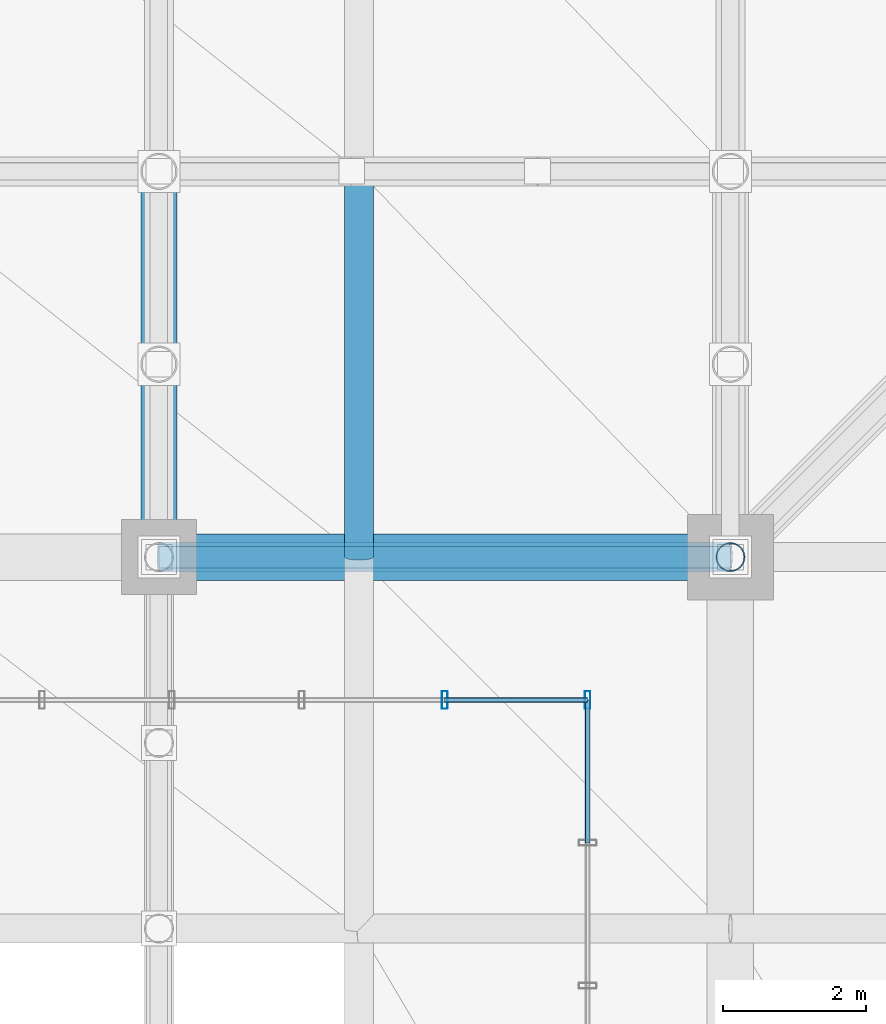
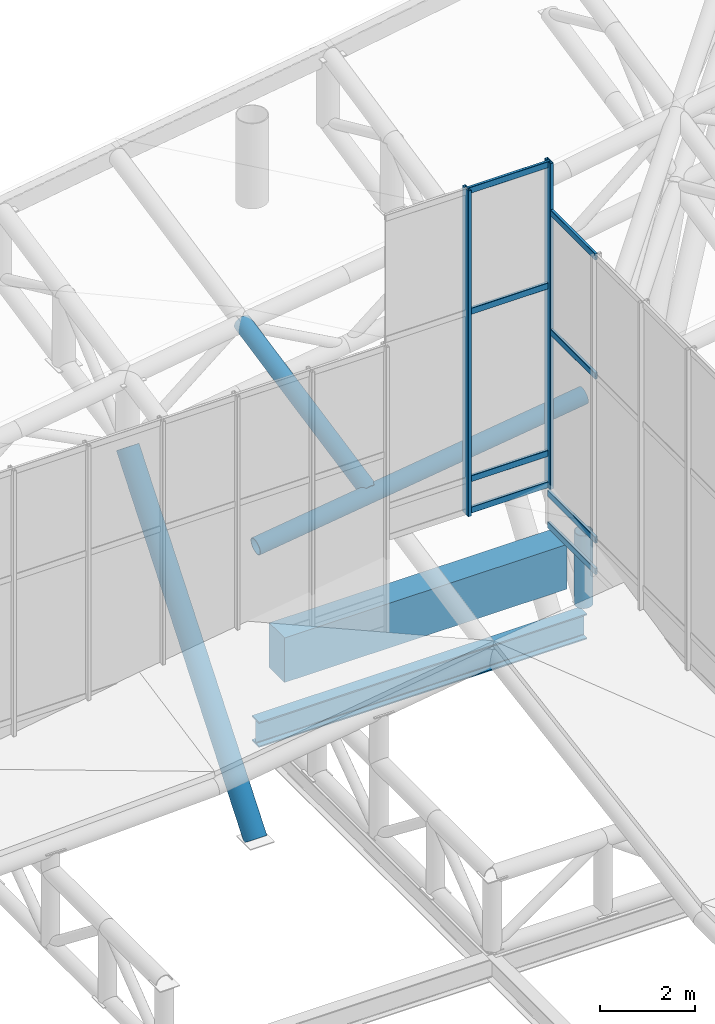
# One storey, part 93 of 137: 14 members, 2 beams, 2 elements without a shape of their own.
"""IFC4 building model written with IfcOpenShell, lengths in metres."""

from ifc_helpers import new_model, si_unit, direction, frame, origin, origin_2d, place, context, subcontext, project, spatial, rectangle, hollow_rectangle, hollow_circle, i_section, extrude, material, layer, layer_set, material_profile, profile_set, type_object, element, aggregate, save


model = new_model("IFC4")

# Units and contexts
model_context = context("Model", 3, precision=1e-05, world=origin(), true_north=direction((0.0, 1.0)))
body_context = subcontext(model_context, "Body", "Model", "MODEL_VIEW")
ifc_project = project(units=[si_unit("LENGTHUNIT", "METRE"), si_unit("AREAUNIT", "SQUARE_METRE"), si_unit("VOLUMEUNIT", "CUBIC_METRE"), si_unit("PLANEANGLEUNIT", "RADIAN"), si_unit("MASSUNIT", "GRAM", prefix="KILO")], contexts=[model_context])

# Site, building, storey
site_placement = place(None, origin())
site = spatial("IfcSite", under=ifc_project, at=site_placement, CompositionType="ELEMENT")
building_placement = place(site_placement, origin())
building = spatial("IfcBuilding", under=site, at=building_placement, Name="Khorjan Park Terminus", CompositionType="ELEMENT")
storey_placement = place(building_placement, frame((0.0, 0.0, 11.4)))
storey = spatial("IfcBuildingStorey", under=building, at=storey_placement, Name="L02", CompositionType="ELEMENT", Elevation=11.4)

# Members
ifc_material_1 = material(Name="Steel S355", Category="steel")
ifc_material_profile_1 = material_profile(ifc_material_1, hollow_circle(Radius=0.2032, WallThickness=0.016, at=origin_2d()), Name="CHS 406.4x16")
ifc_profile_set_1 = profile_set([ifc_material_profile_1], Name="Steel S355")
member_type_1 = type_object("IfcMemberType", Name="MB-CHE-406", PredefinedType="CHORD", material=ifc_profile_set_1)
member_1_placement = place(storey_placement, frame((128.0, 88.0, 2.3441), z_axis=(0.990628641265, 0.0, 0.136582923914), x_axis=(0.0, 1.0, 0.0)))
element("IfcMember", 1, at=member_1_placement, inside=storey, type_object=member_type_1, Name="Lower wrapping shell rim chord (117)", PredefinedType="CHORD", context=body_context, shape_type="SweptSolid", body=[
    extrude(hollow_circle(Radius=0.2032, WallThickness=0.016, at=origin_2d()), origin(), (0.0, 0.0, 1.0), 8.0757),
])
member_2_placement = place(storey_placement, frame((130.8, 88.0, 2.7587), z_axis=(0.0, 0.979805509738, 0.199952902172), x_axis=(-1.0, 0.0, 0.0)))
element("IfcMember", 2, at=member_2_placement, inside=storey, type_object=member_type_1, Name="Lower wrapping shell rim chord (148)", PredefinedType="CHORD", context=body_context, shape_type="SweptSolid", body=[
    extrude(hollow_circle(Radius=0.2032, WallThickness=0.016, at=origin_2d()), origin(), (0.0, 0.0, 1.0), 5.5113),
])
ifc_material_profile_2 = material_profile(ifc_material_1, hollow_circle(Radius=0.2032, WallThickness=0.016, at=origin_2d()), Name="CHS 406.4x16")
ifc_profile_set_2 = profile_set([ifc_material_profile_2], Name="Steel S355")
member_type_2 = type_object("IfcMemberType", Name="MB-ST-406", PredefinedType="STRUT", material=ifc_profile_set_2)
member_3_placement = place(storey_placement, frame((136.0, 88.0, -1.92), z_axis=(0.0, 0.0, 1.0), x_axis=(1.0, 0.0, 0.0)))
element("IfcMember", 3, at=member_3_placement, inside=storey, type_object=member_type_2, Name="Lower shell cantilever truss post (12N)", PredefinedType="STRUT", context=body_context, shape_type="SweptSolid", body=[
    extrude(hollow_circle(Radius=0.2032, WallThickness=0.016, at=origin_2d()), origin(), (0.0, 0.0, 1.0), 1.87),
])
ifc_material_profile_3 = material_profile(ifc_material_1, hollow_circle(Radius=0.254, WallThickness=0.02, at=origin_2d()), Name="CHS 508x20")
ifc_profile_set_3 = profile_set([ifc_material_profile_3], Name="Steel S355")
member_type_3 = type_object("IfcMemberType", Name="MB-STE-508", PredefinedType="STRUT", material=ifc_profile_set_3)
member_4_placement = place(storey_placement, frame((128.0, 88.0, -5.2), z_axis=(0.0, 0.619739172064, 0.784807848208), x_axis=(-1.0, 0.0, 0.0)))
element("IfcMember", 4, at=member_4_placement, inside=storey, type_object=member_type_3, Name="Lower shell raked overhang V-strut STE-51 (11N)", PredefinedType="STRUT", context=body_context, shape_type="SweptSolid", body=[
    extrude(hollow_circle(Radius=0.254, WallThickness=0.02, at=origin_2d()), origin(), (0.0, 0.0, 1.0), 8.7133),
])

# Curtain wall, members
ifc_material_2 = material(Name="Anodized Bronze Aluminium", Category="aluminium")
ifc_layer = layer(ifc_material_2, 0.22)
ifc_layer_set = layer_set([ifc_layer], Name="Anodized Bronze Aluminium")
curtain_wall_type = type_object("IfcCurtainWallType", Name="CW-CONC-CLR", PredefinedType="NOTDEFINED", material=ifc_layer_set)
curtain_wall_1_placement = place(storey_placement, origin())
curtain_wall_1 = element("IfcCurtainWall", 5, at=curtain_wall_1_placement, inside=storey, type_object=curtain_wall_type, Name="Unitized curtain wall CW-CL (CW-V2-N-CLR-08)", PredefinedType="NOTDEFINED")
ifc_material_profile_4 = material_profile(ifc_material_2, hollow_rectangle(XDim=0.08, YDim=0.25, WallThickness=0.005, InnerFilletRadius=0.005, OuterFilletRadius=0.01, at=origin_2d()), Name="ALM 80x250x5")
ifc_profile_set_4 = profile_set([ifc_material_profile_4], Name="Anodized Bronze Aluminium")
member_type_4 = type_object("IfcMemberType", Name="ML-ALM-250", PredefinedType="MULLION", material=ifc_profile_set_4)
member_5_placement = place(storey_placement, frame((134.0, 86.0, 3.0059), z_axis=(0.0, 0.0, 1.0), x_axis=(-1.0, 0.0, 0.0)))
member_5 = element("IfcMember", 6, at=member_5_placement, type_object=member_type_4, Name="Curtain-wall mullion ML-25 (CW-V2-N-CLR-08-0)", PredefinedType="MULLION", context=body_context, shape_type="SweptSolid", body=[
    extrude(hollow_rectangle(XDim=0.08, YDim=0.25, WallThickness=0.005, InnerFilletRadius=0.005, OuterFilletRadius=0.01, at=origin_2d()), origin(), (0.0, 0.0, 1.0), 8.4011),
])
member_6_placement = place(storey_placement, frame((132.0, 86.0, 3.0059), z_axis=(0.0, 0.0, 1.0), x_axis=(-1.0, 0.0, 0.0)))
member_6 = element("IfcMember", 7, at=member_6_placement, type_object=member_type_4, Name="Curtain-wall mullion ML-25 (CW-V2-N-CLR-08-1)", PredefinedType="MULLION", context=body_context, shape_type="SweptSolid", body=[
    extrude(hollow_rectangle(XDim=0.08, YDim=0.25, WallThickness=0.005, InnerFilletRadius=0.005, OuterFilletRadius=0.01, at=origin_2d()), origin(), (0.0, 0.0, 1.0), 8.4011),
])

# Beams
ifc_material_profile_5 = material_profile(ifc_material_1, i_section(OverallWidth=0.3, OverallDepth=0.65, WebThickness=0.016, FlangeThickness=0.031, FilletRadius=0.027, at=origin_2d()), Name="HEB 650")
ifc_profile_set_5 = profile_set([ifc_material_profile_5], Name="Steel S355")
beam_type_1 = type_object("IfcBeamType", Name="SP-HEB650E", PredefinedType="SPANDREL", material=ifc_profile_set_5)
beam_1_placement = place(storey_placement, frame((128.0, 88.0, -2.425), z_axis=(1.0, 0.0, 0.0), x_axis=(0.0, 1.0, 0.0)))
element("IfcBeam", 8, at=beam_1_placement, inside=storey, type_object=beam_type_1, Name="Lower shell truss support girder SP-E65 (X22)", PredefinedType="SPANDREL", context=body_context, shape_type="SweptSolid", body=[
    extrude(i_section(OverallWidth=0.3, OverallDepth=0.65, WebThickness=0.016, FlangeThickness=0.031, FilletRadius=0.027, at=origin_2d()), origin(), (0.0, 0.0, 1.0), 8.0),
])
ifc_material_3 = material(Name="Concrete C50/60", Category="concrete")
ifc_material_profile_6 = material_profile(ifc_material_3, rectangle(XDim=0.65, YDim=1.15, at=origin_2d()), Name="RC 650x1150")
ifc_profile_set_6 = profile_set([ifc_material_profile_6], Name="Concrete C50/60")
beam_type_2 = type_object("IfcBeamType", Name="SP-RC650x1150", PredefinedType="SPANDREL", material=ifc_profile_set_6)
beam_2_placement = place(storey_placement, frame((128.52, 88.0, -0.575), z_axis=(1.0, 0.0, 0.0), x_axis=(0.0, 1.0, 0.0)))
element("IfcBeam", 9, at=beam_2_placement, inside=storey, type_object=beam_type_2, Name="Concourse lower colonnade ring beam SP-11 (L02-58)", PredefinedType="SPANDREL", context=body_context, shape_type="SweptSolid", body=[
    extrude(rectangle(XDim=0.65, YDim=1.15, at=origin_2d()), origin(), (0.0, 0.0, 1.0), 6.885),
])

# Member
ifc_material_profile_7 = material_profile(ifc_material_2, hollow_rectangle(XDim=0.07, YDim=0.16, WallThickness=0.004, InnerFilletRadius=0.004, OuterFilletRadius=0.008, at=origin_2d()), Name="ALT 70x160x4")
ifc_profile_set_7 = profile_set([ifc_material_profile_7], Name="Anodized Bronze Aluminium")
member_type_5 = type_object("IfcMemberType", Name="TR-ALT-160", PredefinedType="USERDEFINED", material=ifc_profile_set_7)
member_7_placement = place(storey_placement, frame((134.0, 86.0, 3.0809), z_axis=(-1.0, 0.0, 0.0), x_axis=(0.0, -1.0, 0.0)))
member_7 = element("IfcMember", 10, at=member_7_placement, type_object=member_type_5, Name="Curtain-wall transom TR-16 (CW-V2-N-CLR-08-0-1)", ObjectType="TRANSOM", PredefinedType="USERDEFINED", context=body_context, shape_type="SweptSolid", body=[
    extrude(hollow_rectangle(XDim=0.07, YDim=0.16, WallThickness=0.004, InnerFilletRadius=0.004, OuterFilletRadius=0.008, at=origin_2d()), origin(), (0.0, 0.0, 1.0), 2.0),
])

member_8_placement = place(storey_placement, frame((134.0, 86.0, 3.8909), z_axis=(-1.0, 0.0, 0.0), x_axis=(0.0, -1.0, 0.0)))
member_8 = element("IfcMember", 11, at=member_8_placement, type_object=member_type_5, Name="Curtain-wall transom TR-16 (CW-V2-N-CLR-08-0-2)", ObjectType="TRANSOM", PredefinedType="USERDEFINED", context=body_context, shape_type="SweptSolid", body=[
    extrude(hollow_rectangle(XDim=0.07, YDim=0.16, WallThickness=0.004, InnerFilletRadius=0.004, OuterFilletRadius=0.008, at=origin_2d()), origin(), (0.0, 0.0, 1.0), 2.0),
])

member_9_placement = place(storey_placement, frame((134.0, 86.0, 8.2062), z_axis=(-1.0, 0.0, 0.0), x_axis=(0.0, -1.0, 0.0)))
member_9 = element("IfcMember", 12, at=member_9_placement, type_object=member_type_5, Name="Curtain-wall transom TR-16 (CW-V2-N-CLR-08-0-3)", ObjectType="TRANSOM", PredefinedType="USERDEFINED", context=body_context, shape_type="SweptSolid", body=[
    extrude(hollow_rectangle(XDim=0.07, YDim=0.16, WallThickness=0.004, InnerFilletRadius=0.004, OuterFilletRadius=0.008, at=origin_2d()), origin(), (0.0, 0.0, 1.0), 2.0),
])

member_10_placement = place(storey_placement, frame((134.0, 86.0, 11.332), z_axis=(-1.0, 0.0, 0.0), x_axis=(0.0, -1.0, 0.0)))
member_10 = element("IfcMember", 13, at=member_10_placement, type_object=member_type_5, Name="Curtain-wall transom TR-16 (CW-V2-N-CLR-08-0-4)", ObjectType="TRANSOM", PredefinedType="USERDEFINED", context=body_context, shape_type="SweptSolid", body=[
    extrude(hollow_rectangle(XDim=0.07, YDim=0.16, WallThickness=0.004, InnerFilletRadius=0.004, OuterFilletRadius=0.008, at=origin_2d()), origin(), (0.0, 0.0, 1.0), 2.0),
])

aggregate(curtain_wall_1, [member_5, member_6, member_7, member_8, member_9, member_10])

# Curtain wall, members
curtain_wall_2_placement = place(storey_placement, origin())
curtain_wall_2 = element("IfcCurtainWall", 14, at=curtain_wall_2_placement, inside=storey, type_object=curtain_wall_type, Name="Unitized curtain wall CW-CL (CW-V2-E-CLR-04)", PredefinedType="NOTDEFINED")
member_11_placement = place(storey_placement, frame((134.0, 84.0, 2.0278), z_axis=(0.0, 1.0, 0.0), x_axis=(-1.0, 0.0, 0.0)))
member_11 = element("IfcMember", 15, at=member_11_placement, type_object=member_type_5, Name="Curtain-wall transom TR-16 (CW-V2-E-CLR-04-5-1)", ObjectType="TRANSOM", PredefinedType="USERDEFINED", context=body_context, shape_type="SweptSolid", body=[
    extrude(hollow_rectangle(XDim=0.07, YDim=0.16, WallThickness=0.004, InnerFilletRadius=0.004, OuterFilletRadius=0.008, at=origin_2d()), origin(), (0.0, 0.0, 1.0), 2.0),
])
member_12_placement = place(storey_placement, frame((134.0, 84.0, 2.8378), z_axis=(0.0, 1.0, 0.0), x_axis=(-1.0, 0.0, 0.0)))
member_12 = element("IfcMember", 16, at=member_12_placement, type_object=member_type_5, Name="Curtain-wall transom TR-16 (CW-V2-E-CLR-04-5-2)", ObjectType="TRANSOM", PredefinedType="USERDEFINED", context=body_context, shape_type="SweptSolid", body=[
    extrude(hollow_rectangle(XDim=0.07, YDim=0.16, WallThickness=0.004, InnerFilletRadius=0.004, OuterFilletRadius=0.008, at=origin_2d()), origin(), (0.0, 0.0, 1.0), 2.0),
])
member_13_placement = place(storey_placement, frame((134.0, 84.0, 7.0676), z_axis=(0.0, 1.0, 0.0), x_axis=(-1.0, 0.0, 0.0)))
member_13 = element("IfcMember", 17, at=member_13_placement, type_object=member_type_5, Name="Curtain-wall transom TR-16 (CW-V2-E-CLR-04-5-3)", ObjectType="TRANSOM", PredefinedType="USERDEFINED", context=body_context, shape_type="SweptSolid", body=[
    extrude(hollow_rectangle(XDim=0.07, YDim=0.16, WallThickness=0.004, InnerFilletRadius=0.004, OuterFilletRadius=0.008, at=origin_2d()), origin(), (0.0, 0.0, 1.0), 2.0),
])
member_14_placement = place(storey_placement, frame((134.0, 84.0, 10.141), z_axis=(0.0, 1.0, 0.0), x_axis=(-1.0, 0.0, 0.0)))
member_14 = element("IfcMember", 18, at=member_14_placement, type_object=member_type_5, Name="Curtain-wall transom TR-16 (CW-V2-E-CLR-04-5-4)", ObjectType="TRANSOM", PredefinedType="USERDEFINED", context=body_context, shape_type="SweptSolid", body=[
    extrude(hollow_rectangle(XDim=0.07, YDim=0.16, WallThickness=0.004, InnerFilletRadius=0.004, OuterFilletRadius=0.008, at=origin_2d()), origin(), (0.0, 0.0, 1.0), 2.0),
])
aggregate(curtain_wall_2, [member_11, member_12, member_13, member_14])

save(model, "model.ifc")
